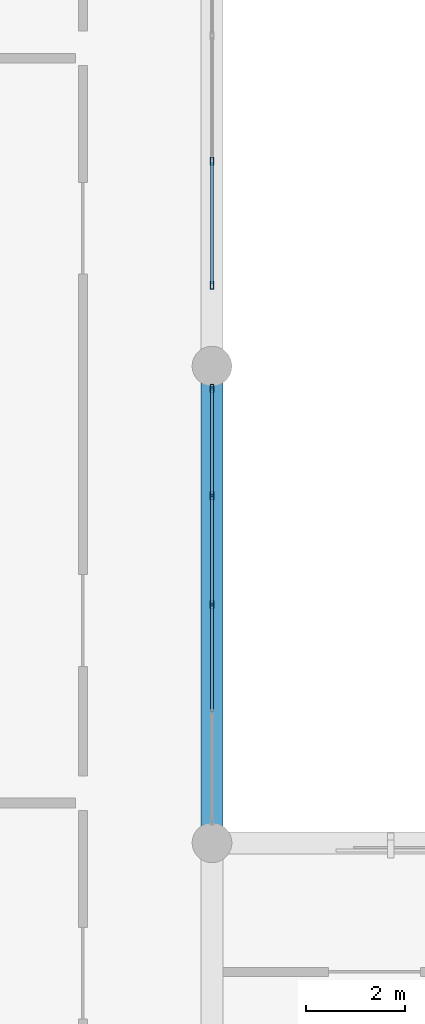
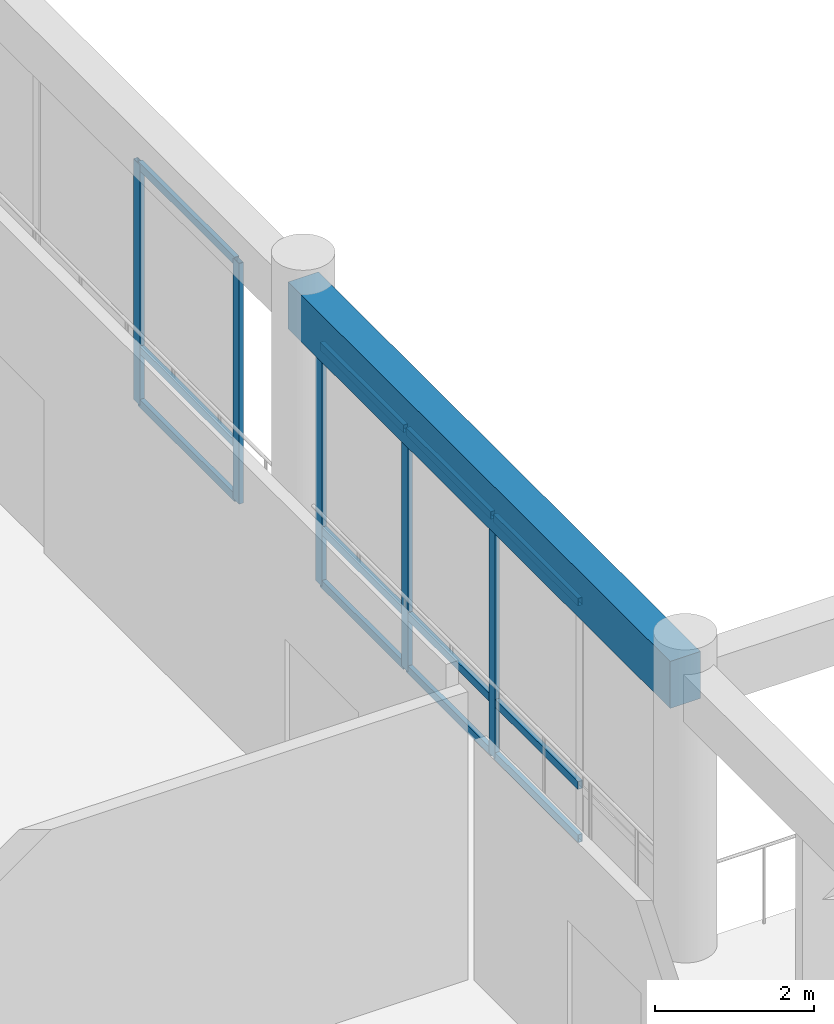
# One storey, part 24 of 133: 17 members, 1 beam, 2 elements without a shape of their own.
"""IFC4 building model written with IfcOpenShell, lengths in metres."""

from ifc_helpers import new_model, si_unit, direction, frame, origin, origin_2d, place, context, subcontext, project, spatial, rectangle, hollow_rectangle, extrude, material, layer, layer_set, material_profile, profile_set, type_object, element, aggregate, save


model = new_model("IFC4")

# Units and contexts
model_context = context("Model", 3, precision=1e-05, world=origin(), true_north=direction((0.0, 1.0)))
body_context = subcontext(model_context, "Body", "Model", "MODEL_VIEW")
ifc_project = project(units=[si_unit("LENGTHUNIT", "METRE"), si_unit("AREAUNIT", "SQUARE_METRE"), si_unit("VOLUMEUNIT", "CUBIC_METRE"), si_unit("PLANEANGLEUNIT", "RADIAN"), si_unit("MASSUNIT", "GRAM", prefix="KILO")], contexts=[model_context])

# Site, building, storey
site_placement = place(None, origin())
site = spatial("IfcSite", under=ifc_project, at=site_placement, CompositionType="ELEMENT")
building_placement = place(site_placement, origin())
building = spatial("IfcBuilding", under=site, at=building_placement, Name="Nakhvara Creek Congress Hotel", CompositionType="ELEMENT")
storey_placement = place(building_placement, frame((0.0, 0.0, 11.39990234375)))
storey = spatial("IfcBuildingStorey", under=building, at=storey_placement, Name="L02", CompositionType="ELEMENT", Elevation=11.39990234375)

# Beam
ifc_material_1 = material(Name="Concrete C40/50", Category="concrete")
ifc_material_profile_1 = material_profile(ifc_material_1, rectangle(XDim=0.43994140625, YDim=0.719970703125, at=origin_2d()), Name="RC-BM 440x720", Category="LoadBearing")
ifc_profile_set_1 = profile_set([ifc_material_profile_1], Name="Concrete C40/50")
beam_type = type_object("IfcBeamType", Name="BM-RC-440X720", PredefinedType="BEAM", material=ifc_profile_set_1)
beam_placement = place(storey_placement, frame((76.800048828125, 43.199951171875, 4.06005859375), z_axis=(0.0, 1.0, 0.0), x_axis=(-1.0, 0.0, 0.0)))
element("IfcBeam", 1, at=beam_placement, inside=storey, type_object=beam_type, Name="Beam B12-L02-1456", PredefinedType="BEAM", context=body_context, shape_type="SweptSolid", body=[
    extrude(rectangle(XDim=0.43994140625, YDim=0.719970703125, at=origin_2d()), origin(), (0.0, 0.0, 1.0), 9.60009765625),
])

# Curtain wall, members
ifc_material_2 = material(Name="Bronze-anodised aluminium AW-6063-T6 and double-silver low-E glass", Category="aluminium")
ifc_layer = layer(ifc_material_2, 0.199951171875)
ifc_layer_set = layer_set([ifc_layer], Name="Bronze-anodised aluminium AW-6063-T6 and double-silver low-E glass")
curtain_wall_type = type_object("IfcCurtainWallType", Name="CW-POD-STICK", PredefinedType="NOTDEFINED", material=ifc_layer_set)
curtain_wall_1_placement = place(storey_placement, origin())
curtain_wall_1 = element("IfcCurtainWall", 2, at=curtain_wall_1_placement, inside=storey, type_object=curtain_wall_type, Name="Curtain Wall CW043", PredefinedType="NOTDEFINED")
ifc_material_3 = material(Name="Bronze-anodised aluminium AW-6063-T6", Category="aluminium")
ifc_material_profile_2 = material_profile(ifc_material_3, hollow_rectangle(XDim=0.06494140625, YDim=0.159912109375, WallThickness=0.00390625, at=origin_2d()), Name="ALU-MULL 65x160x4", Category="LoadBearing")
ifc_profile_set_2 = profile_set([ifc_material_profile_2], Name="Bronze-anodised aluminium AW-6063-T6")
member_type_1 = type_object("IfcMemberType", Name="CW-MULL-160", PredefinedType="MULLION", material=ifc_profile_set_2)
member_1_placement = place(storey_placement, frame((76.800048828125, 52.3525390625, 0.0), z_axis=(0.0, 0.0, 1.0), x_axis=(1.0, 0.0, 0.0)))
member_1 = element("IfcMember", 3, at=member_1_placement, type_object=member_type_1, Name="CW043 mullion 1", PredefinedType="MULLION", context=body_context, shape_type="SweptSolid", body=[
    extrude(hollow_rectangle(XDim=0.06494140625, YDim=0.159912109375, WallThickness=0.00390625, at=origin_2d()), origin(), (0.0, 0.0, 1.0), 3.692138671875),
])
member_2_placement = place(storey_placement, frame((76.800048828125, 50.1923828125, 0.0), z_axis=(0.0, 0.0, 1.0), x_axis=(1.0, 0.0, 0.0)))
member_2 = element("IfcMember", 4, at=member_2_placement, type_object=member_type_1, Name="CW043 mullion 2", PredefinedType="MULLION", context=body_context, shape_type="SweptSolid", body=[
    extrude(hollow_rectangle(XDim=0.06494140625, YDim=0.159912109375, WallThickness=0.00390625, at=origin_2d()), origin(), (0.0, 0.0, 1.0), 3.692138671875),
])
member_3_placement = place(storey_placement, frame((76.800048828125, 48.0, 0.0), z_axis=(0.0, 0.0, 1.0), x_axis=(1.0, 0.0, 0.0)))
member_3 = element("IfcMember", 5, at=member_3_placement, type_object=member_type_1, Name="CW043 mullion 3", PredefinedType="MULLION", context=body_context, shape_type="SweptSolid", body=[
    extrude(hollow_rectangle(XDim=0.06494140625, YDim=0.159912109375, WallThickness=0.00390625, at=origin_2d()), origin(), (0.0, 0.0, 1.0), 3.692138671875),
])

curtain_wall_2_placement = place(storey_placement, origin())
curtain_wall_2 = element("IfcCurtainWall", 6, at=curtain_wall_2_placement, inside=storey, type_object=curtain_wall_type, Name="Curtain Wall CW045", PredefinedType="NOTDEFINED")
member_4_placement = place(storey_placement, frame((76.800048828125, 56.92822265625, 0.0), z_axis=(0.0, 0.0, 1.0), x_axis=(1.0, 0.0, 0.0)))
member_4 = element("IfcMember", 7, at=member_4_placement, type_object=member_type_1, Name="CW045 mullion 3", PredefinedType="MULLION", context=body_context, shape_type="SweptSolid", body=[
    extrude(hollow_rectangle(XDim=0.06494140625, YDim=0.159912109375, WallThickness=0.00390625, at=origin_2d()), origin(), (0.0, 0.0, 1.0), 3.692138671875),
])
member_5_placement = place(storey_placement, frame((76.800048828125, 54.4326171875, 0.0), z_axis=(0.0, 0.0, 1.0), x_axis=(1.0, 0.0, 0.0)))
member_5 = element("IfcMember", 8, at=member_5_placement, type_object=member_type_1, Name="CW045 mullion 4", PredefinedType="MULLION", context=body_context, shape_type="SweptSolid", body=[
    extrude(hollow_rectangle(XDim=0.06494140625, YDim=0.159912109375, WallThickness=0.00390625, at=origin_2d()), origin(), (0.0, 0.0, 1.0), 3.692138671875),
])

# Member
ifc_material_profile_3 = material_profile(ifc_material_3, hollow_rectangle(XDim=0.06494140625, YDim=0.1201171875, WallThickness=0.00390625, at=origin_2d()), Name="ALU-TRAN 65x120x4", Category="LoadBearing")
ifc_profile_set_3 = profile_set([ifc_material_profile_3], Name="Bronze-anodised aluminium AW-6063-T6")
member_type_2 = type_object("IfcMemberType", Name="CW-TRAN-120", PredefinedType="USERDEFINED", material=ifc_profile_set_3)
member_6_placement = place(storey_placement, frame((76.800048828125, 52.320068359375, 0.03271484375), z_axis=(0.0, -1.0, 0.0), x_axis=(1.0, 0.0, 0.0)))
member_6 = element("IfcMember", 9, at=member_6_placement, type_object=member_type_2, Name="CW043 transom 1.1", ObjectType="TRANSOM", PredefinedType="USERDEFINED", context=body_context, shape_type="SweptSolid", body=[
    extrude(hollow_rectangle(XDim=0.06494140625, YDim=0.1201171875, WallThickness=0.00390625, at=origin_2d()), origin(), (0.0, 0.0, 1.0), 2.094970703125),
])

member_7_placement = place(storey_placement, frame((76.800048828125, 52.320068359375, 0.85009765625), z_axis=(0.0, -1.0, 0.0), x_axis=(1.0, 0.0, 0.0)))
member_7 = element("IfcMember", 10, at=member_7_placement, type_object=member_type_2, Name="CW043 transom 1.2", ObjectType="TRANSOM", PredefinedType="USERDEFINED", context=body_context, shape_type="SweptSolid", body=[
    extrude(hollow_rectangle(XDim=0.06494140625, YDim=0.1201171875, WallThickness=0.00390625, at=origin_2d()), origin(), (0.0, 0.0, 1.0), 2.094970703125),
])

member_8_placement = place(storey_placement, frame((76.800048828125, 52.320068359375, 3.65966796875), z_axis=(0.0, -1.0, 0.0), x_axis=(1.0, 0.0, 0.0)))
member_8 = element("IfcMember", 11, at=member_8_placement, type_object=member_type_2, Name="CW043 transom 1.3", ObjectType="TRANSOM", PredefinedType="USERDEFINED", context=body_context, shape_type="SweptSolid", body=[
    extrude(hollow_rectangle(XDim=0.06494140625, YDim=0.1201171875, WallThickness=0.00390625, at=origin_2d()), origin(), (0.0, 0.0, 1.0), 2.094970703125),
])

member_9_placement = place(storey_placement, frame((76.800048828125, 50.159912109375, 0.03271484375), z_axis=(0.0, -1.0, 0.0), x_axis=(1.0, 0.0, 0.0)))
member_9 = element("IfcMember", 12, at=member_9_placement, type_object=member_type_2, Name="CW043 transom 2.1", ObjectType="TRANSOM", PredefinedType="USERDEFINED", context=body_context, shape_type="SweptSolid", body=[
    extrude(hollow_rectangle(XDim=0.06494140625, YDim=0.1201171875, WallThickness=0.00390625, at=origin_2d()), origin(), (0.0, 0.0, 1.0), 2.12744140625),
])

member_10_placement = place(storey_placement, frame((76.800048828125, 50.159912109375, 0.85009765625), z_axis=(0.0, -1.0, 0.0), x_axis=(1.0, 0.0, 0.0)))
member_10 = element("IfcMember", 13, at=member_10_placement, type_object=member_type_2, Name="CW043 transom 2.2", ObjectType="TRANSOM", PredefinedType="USERDEFINED", context=body_context, shape_type="SweptSolid", body=[
    extrude(hollow_rectangle(XDim=0.06494140625, YDim=0.1201171875, WallThickness=0.00390625, at=origin_2d()), origin(), (0.0, 0.0, 1.0), 2.12744140625),
])

member_11_placement = place(storey_placement, frame((76.800048828125, 50.159912109375, 3.65966796875), z_axis=(0.0, -1.0, 0.0), x_axis=(1.0, 0.0, 0.0)))
member_11 = element("IfcMember", 14, at=member_11_placement, type_object=member_type_2, Name="CW043 transom 2.3", ObjectType="TRANSOM", PredefinedType="USERDEFINED", context=body_context, shape_type="SweptSolid", body=[
    extrude(hollow_rectangle(XDim=0.06494140625, YDim=0.1201171875, WallThickness=0.00390625, at=origin_2d()), origin(), (0.0, 0.0, 1.0), 2.12744140625),
])

member_12_placement = place(storey_placement, frame((76.800048828125, 47.967529296875, 0.03271484375), z_axis=(0.0, -1.0, 0.0), x_axis=(1.0, 0.0, 0.0)))
member_12 = element("IfcMember", 15, at=member_12_placement, type_object=member_type_2, Name="CW043 transom 3.1", ObjectType="TRANSOM", PredefinedType="USERDEFINED", context=body_context, shape_type="SweptSolid", body=[
    extrude(hollow_rectangle(XDim=0.06494140625, YDim=0.1201171875, WallThickness=0.00390625, at=origin_2d()), origin(), (0.0, 0.0, 1.0), 2.12744140625),
])

member_13_placement = place(storey_placement, frame((76.800048828125, 47.967529296875, 0.85009765625), z_axis=(0.0, -1.0, 0.0), x_axis=(1.0, 0.0, 0.0)))
member_13 = element("IfcMember", 16, at=member_13_placement, type_object=member_type_2, Name="CW043 transom 3.2", ObjectType="TRANSOM", PredefinedType="USERDEFINED", context=body_context, shape_type="SweptSolid", body=[
    extrude(hollow_rectangle(XDim=0.06494140625, YDim=0.1201171875, WallThickness=0.00390625, at=origin_2d()), origin(), (0.0, 0.0, 1.0), 2.12744140625),
])

member_14_placement = place(storey_placement, frame((76.800048828125, 47.967529296875, 3.65966796875), z_axis=(0.0, -1.0, 0.0), x_axis=(1.0, 0.0, 0.0)))
member_14 = element("IfcMember", 17, at=member_14_placement, type_object=member_type_2, Name="CW043 transom 3.3", ObjectType="TRANSOM", PredefinedType="USERDEFINED", context=body_context, shape_type="SweptSolid", body=[
    extrude(hollow_rectangle(XDim=0.06494140625, YDim=0.1201171875, WallThickness=0.00390625, at=origin_2d()), origin(), (0.0, 0.0, 1.0), 2.12744140625),
])

aggregate(curtain_wall_1, [member_1, member_2, member_3, member_6, member_7, member_8, member_9, member_10, member_11, member_12, member_13, member_14])

member_15_placement = place(storey_placement, frame((76.800048828125, 56.895751953125, 0.03271484375), z_axis=(0.0, -1.0, 0.0), x_axis=(1.0, 0.0, 0.0)))
member_15 = element("IfcMember", 18, at=member_15_placement, type_object=member_type_2, Name="CW045 transom 3.1", ObjectType="TRANSOM", PredefinedType="USERDEFINED", context=body_context, shape_type="SweptSolid", body=[
    extrude(hollow_rectangle(XDim=0.06494140625, YDim=0.1201171875, WallThickness=0.00390625, at=origin_2d()), origin(), (0.0, 0.0, 1.0), 2.4306640625),
])

member_16_placement = place(storey_placement, frame((76.800048828125, 56.895751953125, 0.85009765625), z_axis=(0.0, -1.0, 0.0), x_axis=(1.0, 0.0, 0.0)))
member_16 = element("IfcMember", 19, at=member_16_placement, type_object=member_type_2, Name="CW045 transom 3.2", ObjectType="TRANSOM", PredefinedType="USERDEFINED", context=body_context, shape_type="SweptSolid", body=[
    extrude(hollow_rectangle(XDim=0.06494140625, YDim=0.1201171875, WallThickness=0.00390625, at=origin_2d()), origin(), (0.0, 0.0, 1.0), 2.4306640625),
])

member_17_placement = place(storey_placement, frame((76.800048828125, 56.895751953125, 3.65966796875), z_axis=(0.0, -1.0, 0.0), x_axis=(1.0, 0.0, 0.0)))
member_17 = element("IfcMember", 20, at=member_17_placement, type_object=member_type_2, Name="CW045 transom 3.3", ObjectType="TRANSOM", PredefinedType="USERDEFINED", context=body_context, shape_type="SweptSolid", body=[
    extrude(hollow_rectangle(XDim=0.06494140625, YDim=0.1201171875, WallThickness=0.00390625, at=origin_2d()), origin(), (0.0, 0.0, 1.0), 2.4306640625),
])

aggregate(curtain_wall_2, [member_4, member_5, member_15, member_16, member_17])

save(model, "model.ifc")
